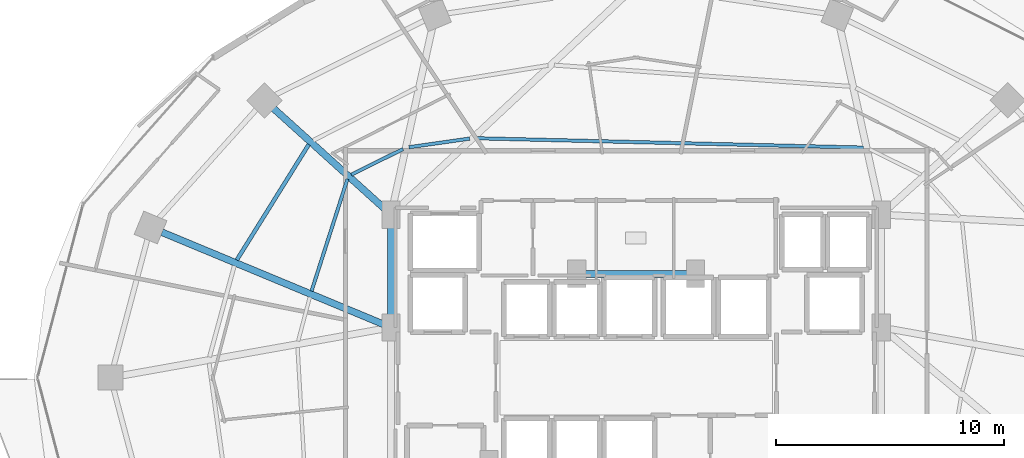
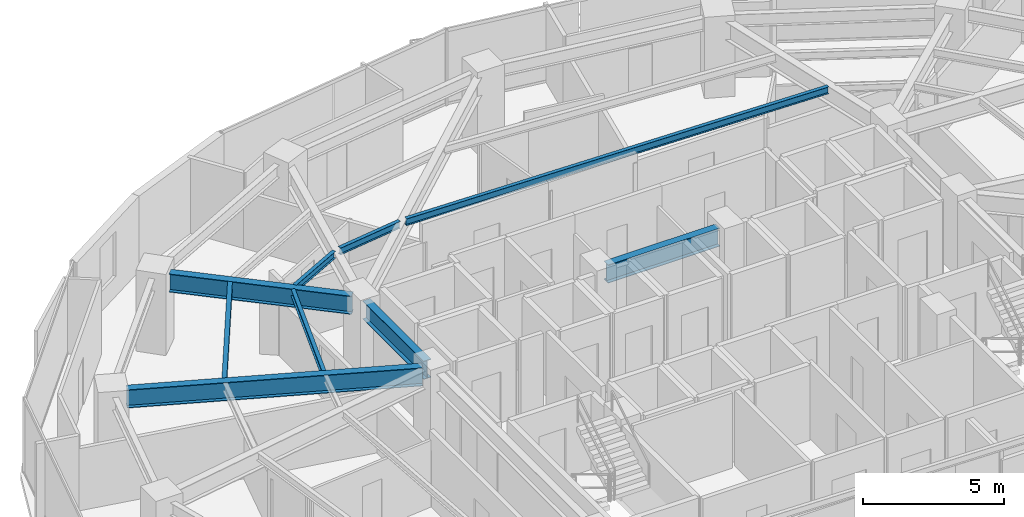
# One storey, part 10 of 29: 9 beams.
"""IFC4 building model written with IfcOpenShell, lengths in metres."""

from ifc_helpers import new_model, si_unit, direction, frame, origin, origin_2d, place, context, subcontext, project, spatial, i_section, extrude, material, material_profile, profile_set, type_object, element, save


model = new_model("IFC4")

# Units and contexts
model_context = context("Model", 3, precision=1e-05, world=origin(), true_north=direction((0.0, 1.0)))
body_context = subcontext(model_context, "Body", "Model", "MODEL_VIEW")
ifc_project = project(units=[si_unit("LENGTHUNIT", "METRE"), si_unit("AREAUNIT", "SQUARE_METRE"), si_unit("VOLUMEUNIT", "CUBIC_METRE"), si_unit("PLANEANGLEUNIT", "RADIAN"), si_unit("MASSUNIT", "GRAM", prefix="KILO")], contexts=[model_context])

# Site, building, storey
site_placement = place(None, origin())
site = spatial("IfcSite", under=ifc_project, at=site_placement, CompositionType="ELEMENT")
building_placement = place(site_placement, origin())
building = spatial("IfcBuilding", under=site, at=building_placement, Name="Vorneva Point Tower", CompositionType="ELEMENT")
storey_placement = place(building_placement, frame((0.0, 0.0, 82.300048828125)))
storey = spatial("IfcBuildingStorey", under=building, at=storey_placement, Name="L21", CompositionType="ELEMENT", Elevation=82.300048828125)

# Beams
ifc_material = material(Name="Steel S355", Category="steel")
ifc_material_profile_1 = material_profile(ifc_material, i_section(OverallWidth=0.300048828125, OverallDepth=0.7880859375, WebThickness=0.014404296875, FlangeThickness=0.02197265625, at=origin_2d()), Name="80Sh1")
ifc_profile_set_1 = profile_set([ifc_material_profile_1], Name="Steel S355")
beam_type_1 = type_object("IfcBeamType", Name="BM-GRD-80Sh1", PredefinedType="USERDEFINED", material=ifc_profile_set_1)
beam_1_placement = place(storey_placement, frame((22.100341796875, 37.801513671875, 2.845947265625), z_axis=(0.742097300344, -0.670292172729, 0.0), x_axis=(0.670292172729, 0.742097300344, 0.0)))
element("IfcBeam", 1, at=beam_1_placement, inside=storey, type_object=beam_type_1, Name="L21 Radial Primary Girder 07", ObjectType="GIRDER", PredefinedType="USERDEFINED", context=body_context, shape_type="SweptSolid", body=[
    extrude(i_section(OverallWidth=0.300048828125, OverallDepth=0.7880859375, WebThickness=0.014404296875, FlangeThickness=0.02197265625, at=origin_2d()), origin(), (0.0, 0.0, 1.0), 6.599365234375),
])
beam_2_placement = place(storey_placement, frame((17.201416015625, 32.375732421875, 2.845947265625), z_axis=(0.923444451211, -0.383732127307, 0.0), x_axis=(0.383732127307, 0.923444451211, 0.0)))
element("IfcBeam", 2, at=beam_2_placement, inside=storey, type_object=beam_type_1, Name="L21 Radial Primary Girder 08", ObjectType="GIRDER", PredefinedType="USERDEFINED", context=body_context, shape_type="SweptSolid", body=[
    extrude(i_section(OverallWidth=0.300048828125, OverallDepth=0.7880859375, WebThickness=0.014404296875, FlangeThickness=0.02197265625, at=origin_2d()), origin(), (0.0, 0.0, 1.0), 10.541748046875),
])
beam_3_placement = place(storey_placement, frame((27.25, 28.52001953125, 2.845947265625), z_axis=(0.0, 1.0, 0.0), x_axis=(-1.0, 0.0, 0.0)))
element("IfcBeam", 3, at=beam_3_placement, inside=storey, type_object=beam_type_1, Name="L21 Core Tie Girder CT2", ObjectType="GIRDER", PredefinedType="USERDEFINED", context=body_context, shape_type="SweptSolid", body=[
    extrude(i_section(OverallWidth=0.300048828125, OverallDepth=0.7880859375, WebThickness=0.014404296875, FlangeThickness=0.02197265625, at=origin_2d()), origin(), (0.0, 0.0, 1.0), 4.31005859375),
])
beam_4_placement = place(storey_placement, frame((35.719970703125, 30.550048828125, 2.845947265625), z_axis=(1.0, 0.0, 0.0), x_axis=(0.0, 1.0, 0.0)))
element("IfcBeam", 4, at=beam_4_placement, inside=storey, type_object=beam_type_1, Name="L21 Core Tie Girder CT8", ObjectType="GIRDER", PredefinedType="USERDEFINED", context=body_context, shape_type="SweptSolid", body=[
    extrude(i_section(OverallWidth=0.300048828125, OverallDepth=0.7880859375, WebThickness=0.014404296875, FlangeThickness=0.02197265625, at=origin_2d()), origin(), (0.0, 0.0, 1.0), 4.56005859375),
])
ifc_material_profile_2 = material_profile(ifc_material, i_section(OverallWidth=0.14892578125, OverallDepth=0.298095703125, WebThickness=0.005615234375, FlangeThickness=0.008056640625, at=origin_2d()), Name="30B1")
ifc_profile_set_2 = profile_set([ifc_material_profile_2], Name="Steel S355")
beam_type_2 = type_object("IfcBeamType", Name="BM-JST-30B1", PredefinedType="JOIST", material=ifc_profile_set_2)
beam_5_placement = place(storey_placement, frame((47.964599609375, 36.0869140625, 3.091064453125), z_axis=(-0.999708122341, 0.024159265841, 0.0), x_axis=(-0.024159265841, -0.999708122341, 0.0)))
element("IfcBeam", 5, at=beam_5_placement, inside=storey, type_object=beam_type_2, Name="L21 Secondary Floor Beam 2.04", PredefinedType="JOIST", context=body_context, shape_type="SweptSolid", body=[
    extrude(i_section(OverallWidth=0.14892578125, OverallDepth=0.298095703125, WebThickness=0.005615234375, FlangeThickness=0.008056640625, at=origin_2d()), origin(), (0.0, 0.0, 1.0), 16.997314453125),
])
beam_6_placement = place(storey_placement, frame((30.697509765625, 36.4814453125, 3.091064453125), z_axis=(-0.990043658135, -0.140760630101, 0.0), x_axis=(0.140760630101, -0.990043658135, 0.0)))
element("IfcBeam", 6, at=beam_6_placement, inside=storey, type_object=beam_type_2, Name="L21 Secondary Floor Beam 2.05", PredefinedType="JOIST", context=body_context, shape_type="SweptSolid", body=[
    extrude(i_section(OverallWidth=0.14892578125, OverallDepth=0.298095703125, WebThickness=0.005615234375, FlangeThickness=0.008056640625, at=origin_2d()), origin(), (0.0, 0.0, 1.0), 2.690185546875),
])
beam_7_placement = place(storey_placement, frame((27.773681640625, 36.022216796875, 3.091064453125), z_axis=(-0.896137449279, -0.443776601456, 0.0), x_axis=(0.443776601456, -0.896137449279, 0.0)))
element("IfcBeam", 7, at=beam_7_placement, inside=storey, type_object=beam_type_2, Name="L21 Secondary Floor Beam 2.06", PredefinedType="JOIST", context=body_context, shape_type="SweptSolid", body=[
    extrude(i_section(OverallWidth=0.14892578125, OverallDepth=0.298095703125, WebThickness=0.005615234375, FlangeThickness=0.008056640625, at=origin_2d()), origin(), (0.0, 0.0, 1.0), 2.53125),
])
beam_8_placement = place(storey_placement, frame((25.339599609375, 34.706298828125, 3.091064453125), z_axis=(-0.305296309303, -0.952257404028, 0.0), x_axis=(0.952257404028, -0.305296309303, 0.0)))
element("IfcBeam", 8, at=beam_8_placement, inside=storey, type_object=beam_type_2, Name="L21 Secondary Floor Beam 2.07", PredefinedType="JOIST", context=body_context, shape_type="SweptSolid", body=[
    extrude(i_section(OverallWidth=0.14892578125, OverallDepth=0.298095703125, WebThickness=0.005615234375, FlangeThickness=0.008056640625, at=origin_2d()), origin(), (0.0, 0.0, 1.0), 5.155517578125),
])
ifc_material_profile_3 = material_profile(ifc_material, i_section(OverallWidth=0.174072265625, OverallDepth=0.345947265625, WebThickness=0.006103515625, FlangeThickness=0.009033203125, at=origin_2d()), Name="35B1")
ifc_profile_set_3 = profile_set([ifc_material_profile_3], Name="Steel S355")
beam_type_3 = type_object("IfcBeamType", Name="BM-SEC-35B1", PredefinedType="BEAM", material=ifc_profile_set_3)
beam_9_placement = place(storey_placement, frame((23.6435546875, 36.224609375, 3.06689453125), z_axis=(-0.52880365784, -0.848744184931, 0.0), x_axis=(0.848744184931, -0.52880365784, 0.0)))
element("IfcBeam", 9, at=beam_9_placement, inside=storey, type_object=beam_type_3, Name="L21 Secondary Floor Beam 1.07", PredefinedType="BEAM", context=body_context, shape_type="SweptSolid", body=[
    extrude(i_section(OverallWidth=0.174072265625, OverallDepth=0.345947265625, WebThickness=0.006103515625, FlangeThickness=0.009033203125, at=origin_2d()), origin(), (0.0, 0.0, 1.0), 5.969482421875),
])

save(model, "model.ifc")
